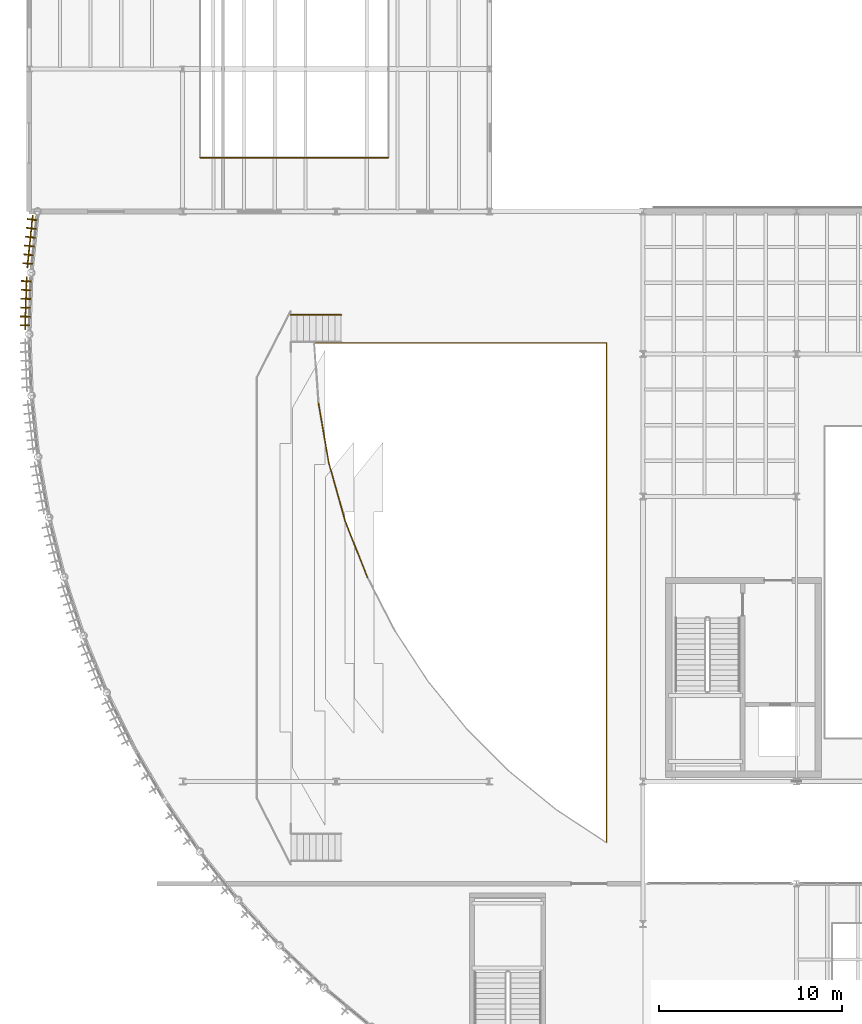
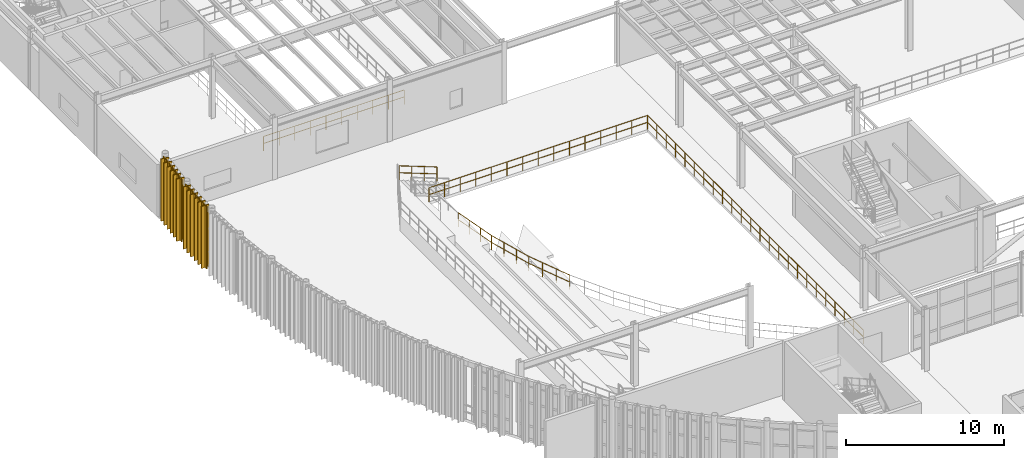
# One storey, part 100 of 105: 12 coverings, 12 shading devices, 7 railings.
"""IFC4 building model written with IfcOpenShell, lengths in metres."""

import ifcopenshell
import ifcopenshell.guid

model = None  # the IFC model being written
_history = None  # IfcOwnerHistory: only IFC2X3 demands one
_inside = {}  # id of a spatial element -> (the spatial element, [elements in it])
_under = {}  # id of a project, library or spatial element -> (it, [spatial elements below it])
_declared = {}  # id of a project -> (the project, [libraries it declares])
_typed = {}  # id of a type object -> (the type object, [elements of that type])
_made_of = {}  # id of a material, layer set ... -> (it, [elements and type objects made of it])


def new_model(schema):
    """Start an empty IFC model of exactly this schema.

    Asked for "IFC4X3", IfcOpenShell would pick the latest addendum, in which some entities
    have other attributes; the version numbers below select the first issue.
    IFC2X3 requires an IfcOwnerHistory on every rooted entity: one is made here for all.
    """
    global model, _history
    if schema == "IFC4X3":
        model = ifcopenshell.file(schema_version=(4, 3, 0, 0))
    else:
        model = ifcopenshell.file(schema=schema)
    _inside.clear()
    _under.clear()
    _declared.clear()
    _typed.clear()
    _made_of.clear()
    _history = None
    if model.schema == "IFC2X3":
        org = make("IfcOrganization", Name="unknown")
        user = make(
            "IfcPersonAndOrganization",
            ThePerson=make("IfcPerson", FamilyName="unknown"),
            TheOrganization=org,
        )
        app = make(
            "IfcApplication",
            ApplicationDeveloper=org,
            Version="unknown",
            ApplicationFullName="unknown",
            ApplicationIdentifier="unknown",
        )
        _history = make(
            "IfcOwnerHistory",
            OwningUser=user,
            OwningApplication=app,
            ChangeAction="ADDED",
            CreationDate=0,
        )
    return model


def make(cls, **values):
    """One entity of the class cls with the attributes given. An attribute that is None is left unset."""
    return model.create_entity(
        cls, **{name: value for name, value in values.items() if value is not None}
    )


def rooted(cls, **values):
    """An entity with a GlobalId (a new one), such as an element, a storey or a relation."""
    return make(cls, GlobalId=ifcopenshell.guid.new(), OwnerHistory=_history, **values)


def si_unit(unit_type, name, prefix=None):
    """IfcSIUnit, for example si_unit("LENGTHUNIT", "METRE", prefix="MILLI")."""
    return make("IfcSIUnit", UnitType=unit_type, Prefix=prefix, Name=name)


def assignment(units):
    """IfcUnitAssignment: the units of a project."""
    return None if units is None else make("IfcUnitAssignment", Units=units)


def point(xyz):
    """IfcCartesianPoint."""
    return None if xyz is None else make("IfcCartesianPoint", Coordinates=xyz)


def direction(xyz):
    """IfcDirection."""
    return None if xyz is None else make("IfcDirection", DirectionRatios=xyz)


def frame(location, z_axis=None, x_axis=None):
    """IfcAxis2Placement3D, a coordinate frame: its origin and axes. An axis left out is left unset."""
    return make(
        "IfcAxis2Placement3D",
        Location=point(location),
        Axis=direction(z_axis),
        RefDirection=direction(x_axis),
    )


def frame_2d(location, x_axis=None):
    """IfcAxis2Placement2D, a coordinate frame in the plane: its origin and x axis."""
    return make(
        "IfcAxis2Placement2D", Location=point(location), RefDirection=direction(x_axis)
    )


def origin():
    """The frame at (0, 0, 0) with its axes left unset."""
    return frame((0.0, 0.0, 0.0))


def origin_2d():
    """The frame at (0, 0) in the plane with its x axis left unset."""
    return frame_2d((0.0, 0.0))


def place(relative_to, where):
    """IfcLocalPlacement: puts the frame where relative to a parent placement (None: the world)."""
    return make(
        "IfcLocalPlacement", PlacementRelTo=relative_to, RelativePlacement=where
    )


def context(
    kind, dimensions, precision=None, world=None, true_north=None, identifier=None
):
    """IfcGeometricRepresentationContext, for example the 3D "Model" context."""
    return make(
        "IfcGeometricRepresentationContext",
        ContextIdentifier=identifier,
        ContextType=kind,
        CoordinateSpaceDimension=dimensions,
        Precision=precision,
        WorldCoordinateSystem=world,
        TrueNorth=true_north,
    )


def subcontext(parent, identifier, kind, view, scale=None):
    """IfcGeometricRepresentationSubContext, for example "Body" below "Model"."""
    return make(
        "IfcGeometricRepresentationSubContext",
        ContextIdentifier=identifier,
        ContextType=kind,
        ParentContext=parent,
        TargetScale=scale,
        TargetView=view,
    )


def project(units=None, contexts=None):
    """IfcProject with its units and contexts."""
    return rooted(
        "IfcProject",
        Name="project",
        RepresentationContexts=contexts,
        UnitsInContext=assignment(units),
    )


def spatial(cls, under=None, at=None, **own):
    """A site, building, storey or space (cls), placed at a placement, below another one or the project."""
    s = rooted(cls, ObjectPlacement=at, **own)
    if under is not None:
        _under.setdefault(under.id(), (under, []))[1].append(s)
    return s


def polyline(points):
    """IfcPolyline through the points."""
    return make("IfcPolyline", Points=[point(p) for p in points])


def profile(cls, at=None, kind="AREA", **sizes):
    """A parametric profile (cls). Its sizes go by their IFC names, for example OverallWidth=200.0."""
    return make(cls, ProfileType=kind, Position=at, **sizes)


def rectangle(**sizes):
    """IfcRectangleProfileDef."""
    return profile("IfcRectangleProfileDef", **sizes)


def circle(**sizes):
    """IfcCircleProfileDef."""
    return profile("IfcCircleProfileDef", **sizes)


def outline(outer, holes=None, kind="AREA"):
    """IfcArbitraryClosedProfileDef: a profile drawn as a closed curve; with holes, ...WithVoids."""
    if holes is None:
        return make("IfcArbitraryClosedProfileDef", ProfileType=kind, OuterCurve=outer)
    return make(
        "IfcArbitraryProfileDefWithVoids",
        ProfileType=kind,
        OuterCurve=outer,
        InnerCurves=holes,
    )


def extrude(swept, where, along, depth):
    """IfcExtrudedAreaSolid: the profile swept, set in the frame where, extruded along a direction by depth."""
    return make(
        "IfcExtrudedAreaSolid",
        SweptArea=swept,
        Position=where,
        ExtrudedDirection=direction(along),
        Depth=depth,
    )


def shape(context_of_items, identifier, shape_type, items):
    """IfcShapeRepresentation: the items that make up one representation, for example the "Body"."""
    return make(
        "IfcShapeRepresentation",
        ContextOfItems=context_of_items,
        RepresentationIdentifier=identifier,
        RepresentationType=shape_type,
        Items=items,
    )


def material(Name=None, Category=None):
    """IfcMaterial."""
    return make("IfcMaterial", Name=Name, Category=Category)


def layer(
    of_material, thickness, ventilated=None, Name=None, Category=None, Priority=None
):
    """IfcMaterialLayer: one layer of a wall or slab, of a material (None: an air gap)."""
    return make(
        "IfcMaterialLayer",
        Material=of_material,
        LayerThickness=thickness,
        IsVentilated=ventilated,
        Name=Name,
        Category=Category,
        Priority=Priority,
    )


def layer_set(layers, Name=None):
    """IfcMaterialLayerSet."""
    return make("IfcMaterialLayerSet", MaterialLayers=layers, LayerSetName=Name)


def material_profile(
    of_material, cross_section, Name=None, Category=None, Priority=None
):
    """IfcMaterialProfile: a cross section and its material."""
    return make(
        "IfcMaterialProfile",
        Name=Name,
        Material=of_material,
        Profile=cross_section,
        Priority=Priority,
        Category=Category,
    )


def profile_set(profiles, Name=None, composite=None):
    """IfcMaterialProfileSet."""
    return make(
        "IfcMaterialProfileSet",
        Name=Name,
        MaterialProfiles=profiles,
        CompositeProfile=composite,
    )


def made_of(thing, what):
    """Note that an element or type object is made of a material, layer set ...; save() writes the relation."""
    if what is not None:
        _made_of.setdefault(what.id(), (what, []))[1].append(thing)
    return thing


def type_object(cls, material=None, **own):
    """A type object (cls), such as IfcWallType, which elements share."""
    return made_of(rooted(cls, **own), material)


def element(
    cls,
    number,
    at=None,
    inside=None,
    cuts=None,
    type_object=None,
    material=None,
    context=None,
    identifier="Body",
    shape_type=None,
    held_by="IfcProductDefinitionShape",
    body=None,
    shapes=None,
    **own,
):
    """One element of the class cls, such as IfcWall. Its Tag is "e" and its number.

    at: its placement. inside: the storey or other place that contains it. cuts: it is an
    opening in that element (IfcRelVoidsElement). A single representation is given by context,
    identifier, shape_type and body (its items); several are given by shapes. held_by: the class
    of the entity that holds the representations. save() writes the other relations.
    """
    e = rooted(cls, Tag="e%d" % number, ObjectPlacement=at, **own)
    if body is not None:
        shapes = [shape(context, identifier, shape_type, body)]
    if shapes is not None:
        e.Representation = make(held_by, Representations=shapes)
    if inside is not None:
        _inside.setdefault(inside.id(), (inside, []))[1].append(e)
    if cuts is not None:
        rooted(
            "IfcRelVoidsElement", RelatingBuildingElement=cuts, RelatedOpeningElement=e
        )
    if type_object is not None:
        _typed.setdefault(type_object.id(), (type_object, []))[1].append(e)
    return made_of(e, material)


def aggregate(whole, parts):
    """IfcRelAggregates: a whole, such as a stair, and the parts it consists of."""
    return rooted("IfcRelAggregates", RelatingObject=whole, RelatedObjects=parts)


def save(model, path):
    """Write the relations noted so far, then the file.

    IfcRelAggregates (storeys below a building ...), IfcRelContainedInSpatialStructure (elements
    in a storey), IfcRelDefinesByType, IfcRelAssociatesMaterial and IfcRelDeclares: one each for
    every whole, place, type object, material and project.
    """
    for whole, parts in _under.values():
        aggregate(whole, parts)
    for where, things in _inside.values():
        rooted(
            "IfcRelContainedInSpatialStructure",
            RelatedElements=things,
            RelatingStructure=where,
        )
    for kind, things in _typed.values():
        rooted("IfcRelDefinesByType", RelatedObjects=things, RelatingType=kind)
    for what, things in _made_of.values():
        rooted("IfcRelAssociatesMaterial", RelatedObjects=things, RelatingMaterial=what)
    for by, libraries in _declared.values():
        rooted("IfcRelDeclares", RelatingContext=by, RelatedDefinitions=libraries)
    model.write(path)


model = new_model("IFC4")

# Units and contexts
model_context = context("Model", 3, precision=1e-05, world=origin(), true_north=direction((0.0, 1.0)))
body_context = subcontext(model_context, "Body", "Model", "MODEL_VIEW")
ifc_project = project(units=[si_unit("LENGTHUNIT", "METRE"), si_unit("AREAUNIT", "SQUARE_METRE"), si_unit("VOLUMEUNIT", "CUBIC_METRE"), si_unit("PLANEANGLEUNIT", "RADIAN"), si_unit("MASSUNIT", "GRAM", prefix="KILO")], contexts=[model_context])

# Site, building, storey
site_placement = place(None, origin())
site = spatial("IfcSite", under=ifc_project, at=site_placement, CompositionType="ELEMENT")
building_placement = place(site_placement, origin())
building = spatial("IfcBuilding", under=site, at=building_placement, Name="Selat Folded Stagehouse", CompositionType="ELEMENT")
storey_placement = place(building_placement, frame((0.0, 0.0, 10.199951171875)))
storey = spatial("IfcBuildingStorey", under=building, at=storey_placement, Name="L02", CompositionType="ELEMENT", Elevation=10.199951171875)

# Coverings
ifc_material_1 = material(Name="Bronze-anodised aluminium 6063-T6", Category="aluminium")
ifc_layer_1 = layer(ifc_material_1, 0.06201171875)
ifc_layer_set_1 = layer_set([ifc_layer_1], Name="Bronze-anodised aluminium 6063-T6")
covering_type = type_object("IfcCoveringType", Name="COV-FIN-BRZ48", PredefinedType="CLADDING", material=ifc_layer_set_1)
covering_1_placement = place(storey_placement, frame((0.0, 0.0, -0.099853515625)))
element("IfcCovering", 1, at=covering_1_placement, inside=storey, type_object=covering_type, Name="L02 drum bronze fin cladding sheath 002", PredefinedType="CLADDING", context=body_context, shape_type="SweptSolid", body=[
    extrude(outline(polyline([(0.430419921875, 54.150390625), (-0.105224609375, 54.21923828125), (-0.11328125, 54.156005859375), (0.42236328125, 54.0869140625), (0.430419921875, 54.150390625)])), origin(), (0.0, 0.0, 1.0), 4.81982421875),
])
covering_2_placement = place(storey_placement, frame((0.0, 0.0, -0.099853515625)))
element("IfcCovering", 2, at=covering_2_placement, inside=storey, type_object=covering_type, Name="L02 drum bronze fin cladding sheath 007", PredefinedType="CLADDING", context=body_context, shape_type="SweptSolid", body=[
    extrude(outline(polyline([(0.380615234375, 53.671875), (-0.155517578125, 53.735595703125), (-0.1630859375, 53.671875), (0.373291015625, 53.6083984375), (0.380615234375, 53.671875)])), origin(), (0.0, 0.0, 1.0), 4.81982421875),
])
covering_3_placement = place(storey_placement, frame((0.0, 0.0, -0.099853515625)))
element("IfcCovering", 3, at=covering_3_placement, inside=storey, type_object=covering_type, Name="L02 drum bronze fin cladding sheath 012", PredefinedType="CLADDING", context=body_context, shape_type="SweptSolid", body=[
    extrude(outline(polyline([(0.3310546875, 53.193359375), (-0.205810546875, 53.251708984375), (-0.212646484375, 53.18798828125), (0.32421875, 53.1298828125), (0.3310546875, 53.193359375)])), origin(), (0.0, 0.0, 1.0), 4.81982421875),
])
covering_4_placement = place(storey_placement, frame((0.0, 0.0, -0.099853515625)))
element("IfcCovering", 4, at=covering_4_placement, inside=storey, type_object=covering_type, Name="L02 drum bronze fin cladding sheath 017", PredefinedType="CLADDING", context=body_context, shape_type="SweptSolid", body=[
    extrude(outline(polyline([(0.28125, 52.71484375), (-0.256103515625, 52.767578125), (-0.26220703125, 52.7041015625), (0.275146484375, 52.651123046875), (0.28125, 52.71484375)])), origin(), (0.0, 0.0, 1.0), 4.81982421875),
])
covering_5_placement = place(storey_placement, frame((0.0, 0.0, -0.099853515625)))
element("IfcCovering", 5, at=covering_5_placement, inside=storey, type_object=covering_type, Name="L02 drum bronze fin cladding sheath 022", PredefinedType="CLADDING", context=body_context, shape_type="SweptSolid", body=[
    extrude(outline(polyline([(0.231689453125, 52.236328125), (-0.306396484375, 52.28369140625), (-0.31201171875, 52.219970703125), (0.22607421875, 52.172607421875), (0.231689453125, 52.236328125)])), origin(), (0.0, 0.0, 1.0), 4.81982421875),
])
covering_6_placement = place(storey_placement, frame((0.0, 0.0, -0.099853515625)))
element("IfcCovering", 6, at=covering_6_placement, inside=storey, type_object=covering_type, Name="L02 drum bronze fin cladding sheath 027", PredefinedType="CLADDING", context=body_context, shape_type="SweptSolid", body=[
    extrude(outline(polyline([(0.181884765625, 51.7578125), (-0.3564453125, 51.7998046875), (-0.361328125, 51.736083984375), (0.177001953125, 51.694091796875), (0.181884765625, 51.7578125)])), origin(), (0.0, 0.0, 1.0), 4.81982421875),
])
covering_7_placement = place(storey_placement, frame((0.0, 0.0, -0.099853515625)))
element("IfcCovering", 7, at=covering_7_placement, inside=storey, type_object=covering_type, Name="L02 drum bronze fin cladding sheath 033", PredefinedType="CLADDING", context=body_context, shape_type="SweptSolid", body=[
    extrude(outline(polyline([(0.1162109375, 50.798583984375), (-0.4228515625, 50.82958984375), (-0.426513671875, 50.765869140625), (0.112548828125, 50.734619140625), (0.1162109375, 50.798583984375)])), origin(), (0.0, 0.0, 1.0), 4.81982421875),
])
covering_8_placement = place(storey_placement, frame((0.0, 0.0, -0.099853515625)))
element("IfcCovering", 8, at=covering_8_placement, inside=storey, type_object=covering_type, Name="L02 drum bronze fin cladding sheath 039", PredefinedType="CLADDING", context=body_context, shape_type="SweptSolid", body=[
    extrude(outline(polyline([(0.10009765625, 50.31787109375), (-0.439208984375, 50.343505859375), (-0.4423828125, 50.279541015625), (0.09716796875, 50.25390625), (0.10009765625, 50.31787109375)])), origin(), (0.0, 0.0, 1.0), 4.81982421875),
])
covering_9_placement = place(storey_placement, frame((0.0, 0.0, -0.099853515625)))
element("IfcCovering", 9, at=covering_9_placement, inside=storey, type_object=covering_type, Name="L02 drum bronze fin cladding sheath 045", PredefinedType="CLADDING", context=body_context, shape_type="SweptSolid", body=[
    extrude(outline(polyline([(0.083984375, 49.8369140625), (-0.45556640625, 49.857421875), (-0.4580078125, 49.793212890625), (0.081787109375, 49.77294921875), (0.083984375, 49.8369140625)])), origin(), (0.0, 0.0, 1.0), 4.81982421875),
])
covering_10_placement = place(storey_placement, frame((0.0, 0.0, -0.099853515625)))
element("IfcCovering", 10, at=covering_10_placement, inside=storey, type_object=covering_type, Name="L02 drum bronze fin cladding sheath 051", PredefinedType="CLADDING", context=body_context, shape_type="SweptSolid", body=[
    extrude(outline(polyline([(0.068115234375, 49.356201171875), (-0.4716796875, 49.37109375), (-0.473388671875, 49.30712890625), (0.06640625, 49.2919921875), (0.068115234375, 49.356201171875)])), origin(), (0.0, 0.0, 1.0), 4.81982421875),
])
covering_11_placement = place(storey_placement, frame((0.0, 0.0, -0.099853515625)))
element("IfcCovering", 11, at=covering_11_placement, inside=storey, type_object=covering_type, Name="L02 drum bronze fin cladding sheath 057", PredefinedType="CLADDING", context=body_context, shape_type="SweptSolid", body=[
    extrude(outline(polyline([(0.052001953125, 48.875244140625), (-0.48779296875, 48.884765625), (-0.489013671875, 48.82080078125), (0.051025390625, 48.811279296875), (0.052001953125, 48.875244140625)])), origin(), (0.0, 0.0, 1.0), 4.81982421875),
])
covering_12_placement = place(storey_placement, frame((0.0, 0.0, -0.099853515625)))
element("IfcCovering", 12, at=covering_12_placement, inside=storey, type_object=covering_type, Name="L02 drum bronze fin cladding sheath 063", PredefinedType="CLADDING", context=body_context, shape_type="SweptSolid", body=[
    extrude(outline(polyline([(0.0361328125, 48.39453125), (-0.50390625, 48.398681640625), (-0.50439453125, 48.334716796875), (0.03564453125, 48.33056640625), (0.0361328125, 48.39453125)])), origin(), (0.0, 0.0, 1.0), 4.81982421875),
])

# Railings
ifc_material_2 = material(Name="Bronze-anodised steel balustrade", Category="steel")
ifc_layer_2 = layer(ifc_material_2, 0.06494140625)
ifc_layer_set_2 = layer_set([ifc_layer_2], Name="Bronze-anodised steel balustrade")
railing_type = type_object("IfcRailingType", Name="RLG-BAL-1120", PredefinedType="BALUSTRADE", material=ifc_layer_set_2)
railing_1_placement = place(storey_placement, frame((9.35009765625, 57.550048828125, 0.0)))
element("IfcRailing", 13, at=railing_1_placement, inside=storey, type_object=railing_type, Name="L02 protective guard railing 050", PredefinedType="BALUSTRADE", context=body_context, shape_type="SweptSolid", body=[
    extrude(circle(Radius=0.02392578125, at=origin_2d()), frame((0.0, 0.0, 1.09619140625), z_axis=(1.0, 0.0, 0.0), x_axis=(0.0, 1.0, 0.0)), (0.0, 0.0, 1.0), 10.2998046875),
    extrude(circle(Radius=0.02392578125, at=origin_2d()), frame((0.0, 0.0, 0.56005859375), z_axis=(1.0, 0.0, 0.0), x_axis=(0.0, 1.0, 0.0)), (0.0, 0.0, 1.0), 10.2998046875),
    extrude(circle(Radius=0.02099609375, at=origin_2d()), origin(), (0.0, 0.0, 1.0), 1.072021484375),
    extrude(circle(Radius=0.02099609375, at=origin_2d()), frame((1.14453125, 0.0, 0.0)), (0.0, 0.0, 1.0), 1.072021484375),
    extrude(circle(Radius=0.02099609375, at=origin_2d()), frame((2.288818359375, 0.0, 0.0)), (0.0, 0.0, 1.0), 1.072021484375),
    extrude(circle(Radius=0.02099609375, at=origin_2d()), frame((3.433349609375, 0.0, 0.0)), (0.0, 0.0, 1.0), 1.072021484375),
    extrude(circle(Radius=0.02099609375, at=origin_2d()), frame((4.57763671875, 0.0, 0.0)), (0.0, 0.0, 1.0), 1.072021484375),
    extrude(circle(Radius=0.02099609375, at=origin_2d()), frame((5.72216796875, 0.0, 0.0)), (0.0, 0.0, 1.0), 1.072021484375),
    extrude(circle(Radius=0.02099609375, at=origin_2d()), frame((6.866455078125, 0.0, 0.0)), (0.0, 0.0, 1.0), 1.072021484375),
    extrude(circle(Radius=0.02099609375, at=origin_2d()), frame((8.010986328125, 0.0, 0.0)), (0.0, 0.0, 1.0), 1.072021484375),
    extrude(circle(Radius=0.02099609375, at=origin_2d()), frame((9.1552734375, 0.0, 0.0)), (0.0, 0.0, 1.0), 1.072021484375),
    extrude(circle(Radius=0.02099609375, at=origin_2d()), frame((10.2998046875, 0.0, 0.0)), (0.0, 0.0, 1.0), 1.072021484375),
])
railing_2_placement = place(storey_placement, frame((31.60009765625, 47.39990234375, 0.0)))
element("IfcRailing", 14, at=railing_2_placement, inside=storey, type_object=railing_type, Name="L02 protective guard railing 086", PredefinedType="BALUSTRADE", context=body_context, shape_type="SweptSolid", body=[
    extrude(circle(Radius=0.02392578125, at=origin_2d()), frame((0.0, 0.0, 1.09619140625), z_axis=(0.0, -1.0, 0.0), x_axis=(1.0, 0.0, 0.0)), (0.0, 0.0, 1.0), 27.3427734375),
    extrude(circle(Radius=0.02392578125, at=origin_2d()), frame((0.0, 0.0, 0.56005859375), z_axis=(0.0, -1.0, 0.0), x_axis=(1.0, 0.0, 0.0)), (0.0, 0.0, 1.0), 27.3427734375),
    extrude(circle(Radius=0.02099609375, at=origin_2d()), origin(), (0.0, 0.0, 1.0), 1.072021484375),
    extrude(circle(Radius=0.02099609375, at=origin_2d()), frame((0.0, -1.188720703125, 0.0)), (0.0, 0.0, 1.0), 1.072021484375),
    extrude(circle(Radius=0.02099609375, at=origin_2d()), frame((0.0, -2.377685546875, 0.0)), (0.0, 0.0, 1.0), 1.072021484375),
    extrude(circle(Radius=0.02099609375, at=origin_2d()), frame((0.0, -3.56640625, 0.0)), (0.0, 0.0, 1.0), 1.072021484375),
    extrude(circle(Radius=0.02099609375, at=origin_2d()), frame((0.0, -4.75537109375, 0.0)), (0.0, 0.0, 1.0), 1.072021484375),
    extrude(circle(Radius=0.02099609375, at=origin_2d()), frame((0.0, -5.944091796875, 0.0)), (0.0, 0.0, 1.0), 1.072021484375),
    extrude(circle(Radius=0.02099609375, at=origin_2d()), frame((0.0, -7.1328125, 0.0)), (0.0, 0.0, 1.0), 1.072021484375),
    extrude(circle(Radius=0.02099609375, at=origin_2d()), frame((0.0, -8.32177734375, 0.0)), (0.0, 0.0, 1.0), 1.072021484375),
    extrude(circle(Radius=0.02099609375, at=origin_2d()), frame((0.0, -9.510498046875, 0.0)), (0.0, 0.0, 1.0), 1.072021484375),
    extrude(circle(Radius=0.02099609375, at=origin_2d()), frame((0.0, -10.699462890625, 0.0)), (0.0, 0.0, 1.0), 1.072021484375),
    extrude(circle(Radius=0.02099609375, at=origin_2d()), frame((0.0, -11.88818359375, 0.0)), (0.0, 0.0, 1.0), 1.072021484375),
    extrude(circle(Radius=0.02099609375, at=origin_2d()), frame((0.0, -13.076904296875, 0.0)), (0.0, 0.0, 1.0), 1.072021484375),
    extrude(circle(Radius=0.02099609375, at=origin_2d()), frame((0.0, -14.265869140625, 0.0)), (0.0, 0.0, 1.0), 1.072021484375),
    extrude(circle(Radius=0.02099609375, at=origin_2d()), frame((0.0, -15.45458984375, 0.0)), (0.0, 0.0, 1.0), 1.072021484375),
    extrude(circle(Radius=0.02099609375, at=origin_2d()), frame((0.0, -16.643310546875, 0.0)), (0.0, 0.0, 1.0), 1.072021484375),
    extrude(circle(Radius=0.02099609375, at=origin_2d()), frame((0.0, -17.832275390625, 0.0)), (0.0, 0.0, 1.0), 1.072021484375),
    extrude(circle(Radius=0.02099609375, at=origin_2d()), frame((0.0, -19.02099609375, 0.0)), (0.0, 0.0, 1.0), 1.072021484375),
    extrude(circle(Radius=0.02099609375, at=origin_2d()), frame((0.0, -20.2099609375, 0.0)), (0.0, 0.0, 1.0), 1.072021484375),
    extrude(circle(Radius=0.02099609375, at=origin_2d()), frame((0.0, -21.398681640625, 0.0)), (0.0, 0.0, 1.0), 1.072021484375),
    extrude(circle(Radius=0.02099609375, at=origin_2d()), frame((0.0, -22.58740234375, 0.0)), (0.0, 0.0, 1.0), 1.072021484375),
    extrude(circle(Radius=0.02099609375, at=origin_2d()), frame((0.0, -23.7763671875, 0.0)), (0.0, 0.0, 1.0), 1.072021484375),
    extrude(circle(Radius=0.02099609375, at=origin_2d()), frame((0.0, -24.965087890625, 0.0)), (0.0, 0.0, 1.0), 1.072021484375),
    extrude(circle(Radius=0.02099609375, at=origin_2d()), frame((0.0, -26.154052734375, 0.0)), (0.0, 0.0, 1.0), 1.072021484375),
    extrude(circle(Radius=0.02099609375, at=origin_2d()), frame((0.0, -27.3427734375, 0.0)), (0.0, 0.0, 1.0), 1.072021484375),
])
railing_3_placement = place(storey_placement, frame((18.510986328125, 34.577880859375, 0.0)))
element("IfcRailing", 15, at=railing_3_placement, inside=storey, type_object=railing_type, Name="L02 protective guard railing 093", PredefinedType="BALUSTRADE", context=body_context, shape_type="SweptSolid", body=[
    extrude(circle(Radius=0.02392578125, at=origin_2d()), frame((0.0, 0.0, 1.09619140625), z_axis=(-0.367277423507, 0.930111441808, 0.0), x_axis=(-0.930111441808, -0.367277423507, 0.0)), (0.0, 0.0, 1.0), 3.308349609375),
    extrude(circle(Radius=0.02392578125, at=origin_2d()), frame((0.0, 0.0, 0.56005859375), z_axis=(-0.367277423507, 0.930111441808, 0.0), x_axis=(-0.930111441808, -0.367277423507, 0.0)), (0.0, 0.0, 1.0), 3.308349609375),
    extrude(circle(Radius=0.02099609375, at=origin_2d()), origin(), (0.0, 0.0, 1.0), 1.072021484375),
    extrude(circle(Radius=0.02099609375, at=origin_2d()), frame((-0.405029296875, 1.025634765625, 0.0)), (0.0, 0.0, 1.0), 1.072021484375),
    extrude(circle(Radius=0.02099609375, at=origin_2d()), frame((-0.81005859375, 2.051513671875, 0.0)), (0.0, 0.0, 1.0), 1.072021484375),
    extrude(circle(Radius=0.02099609375, at=origin_2d()), frame((-1.215087890625, 3.0771484375, 0.0)), (0.0, 0.0, 1.0), 1.072021484375),
])
railing_4_placement = place(storey_placement, frame((17.2958984375, 37.655029296875, 0.0)))
element("IfcRailing", 16, at=railing_4_placement, inside=storey, type_object=railing_type, Name="L02 protective guard railing 094", PredefinedType="BALUSTRADE", context=body_context, shape_type="SweptSolid", body=[
    extrude(circle(Radius=0.02392578125, at=origin_2d()), frame((0.0, 0.0, 1.09619140625), z_axis=(-0.270527594829, 0.962712220986, 0.0), x_axis=(-0.962712220986, -0.270527594829, 0.0)), (0.0, 0.0, 1.0), 3.308349609375),
    extrude(circle(Radius=0.02392578125, at=origin_2d()), frame((0.0, 0.0, 0.56005859375), z_axis=(-0.270527594829, 0.962712220986, 0.0), x_axis=(-0.962712220986, -0.270527594829, 0.0)), (0.0, 0.0, 1.0), 3.308349609375),
    extrude(circle(Radius=0.02099609375, at=origin_2d()), origin(), (0.0, 0.0, 1.0), 1.072021484375),
    extrude(circle(Radius=0.02099609375, at=origin_2d()), frame((-0.29833984375, 1.061767578125, 0.0)), (0.0, 0.0, 1.0), 1.072021484375),
    extrude(circle(Radius=0.02099609375, at=origin_2d()), frame((-0.5966796875, 2.123291015625, 0.0)), (0.0, 0.0, 1.0), 1.072021484375),
    extrude(circle(Radius=0.02099609375, at=origin_2d()), frame((-0.89501953125, 3.18505859375, 0.0)), (0.0, 0.0, 1.0), 1.072021484375),
])
railing_5_placement = place(storey_placement, frame((16.40087890625, 40.840087890625, 0.0)))
element("IfcRailing", 17, at=railing_5_placement, inside=storey, type_object=railing_type, Name="L02 protective guard railing 095", PredefinedType="BALUSTRADE", context=body_context, shape_type="SweptSolid", body=[
    extrude(circle(Radius=0.02392578125, at=origin_2d()), frame((0.0, 0.0, 1.09619140625), z_axis=(-0.170845951376, 0.985297752407, 0.0), x_axis=(-0.985297752407, -0.170845951376, 0.0)), (0.0, 0.0, 1.0), 3.30810546875),
    extrude(circle(Radius=0.02392578125, at=origin_2d()), frame((0.0, 0.0, 0.56005859375), z_axis=(-0.170845951376, 0.985297752407, 0.0), x_axis=(-0.985297752407, -0.170845951376, 0.0)), (0.0, 0.0, 1.0), 3.30810546875),
    extrude(circle(Radius=0.02099609375, at=origin_2d()), origin(), (0.0, 0.0, 1.0), 1.072021484375),
    extrude(circle(Radius=0.02099609375, at=origin_2d()), frame((-0.1884765625, 1.08642578125, 0.0)), (0.0, 0.0, 1.0), 1.072021484375),
    extrude(circle(Radius=0.02099609375, at=origin_2d()), frame((-0.376708984375, 2.173095703125, 0.0)), (0.0, 0.0, 1.0), 1.072021484375),
    extrude(circle(Radius=0.02099609375, at=origin_2d()), frame((-0.565185546875, 3.259521484375, 0.0)), (0.0, 0.0, 1.0), 1.072021484375),
])
railing_6_placement = place(storey_placement, frame((15.605712890625, 47.39990234375, 0.0)))
element("IfcRailing", 18, at=railing_6_placement, inside=storey, type_object=railing_type, Name="L02 protective guard railing 097", PredefinedType="BALUSTRADE", context=body_context, shape_type="SweptSolid", body=[
    extrude(circle(Radius=0.02392578125, at=origin_2d()), frame((0.0, 0.0, 1.09619140625), z_axis=(1.0, 0.0, 0.0), x_axis=(0.0, 1.0, 0.0)), (0.0, 0.0, 1.0), 15.994384765625),
    extrude(circle(Radius=0.02392578125, at=origin_2d()), frame((0.0, 0.0, 0.56005859375), z_axis=(1.0, 0.0, 0.0), x_axis=(0.0, 1.0, 0.0)), (0.0, 0.0, 1.0), 15.994384765625),
    extrude(circle(Radius=0.02099609375, at=origin_2d()), origin(), (0.0, 0.0, 1.0), 1.072021484375),
    extrude(circle(Radius=0.02099609375, at=origin_2d()), frame((1.142578125, 0.0, 0.0)), (0.0, 0.0, 1.0), 1.072021484375),
    extrude(circle(Radius=0.02099609375, at=origin_2d()), frame((2.284912109375, 0.0, 0.0)), (0.0, 0.0, 1.0), 1.072021484375),
    extrude(circle(Radius=0.02099609375, at=origin_2d()), frame((3.42724609375, 0.0, 0.0)), (0.0, 0.0, 1.0), 1.072021484375),
    extrude(circle(Radius=0.02099609375, at=origin_2d()), frame((4.56982421875, 0.0, 0.0)), (0.0, 0.0, 1.0), 1.072021484375),
    extrude(circle(Radius=0.02099609375, at=origin_2d()), frame((5.71240234375, 0.0, 0.0)), (0.0, 0.0, 1.0), 1.072021484375),
    extrude(circle(Radius=0.02099609375, at=origin_2d()), frame((6.854736328125, 0.0, 0.0)), (0.0, 0.0, 1.0), 1.072021484375),
    extrude(circle(Radius=0.02099609375, at=origin_2d()), frame((7.9970703125, 0.0, 0.0)), (0.0, 0.0, 1.0), 1.072021484375),
    extrude(circle(Radius=0.02099609375, at=origin_2d()), frame((9.1396484375, 0.0, 0.0)), (0.0, 0.0, 1.0), 1.072021484375),
    extrude(circle(Radius=0.02099609375, at=origin_2d()), frame((10.2822265625, 0.0, 0.0)), (0.0, 0.0, 1.0), 1.072021484375),
    extrude(circle(Radius=0.02099609375, at=origin_2d()), frame((11.424560546875, 0.0, 0.0)), (0.0, 0.0, 1.0), 1.072021484375),
    extrude(circle(Radius=0.02099609375, at=origin_2d()), frame((12.56689453125, 0.0, 0.0)), (0.0, 0.0, 1.0), 1.072021484375),
    extrude(circle(Radius=0.02099609375, at=origin_2d()), frame((13.70947265625, 0.0, 0.0)), (0.0, 0.0, 1.0), 1.072021484375),
    extrude(circle(Radius=0.02099609375, at=origin_2d()), frame((14.85205078125, 0.0, 0.0)), (0.0, 0.0, 1.0), 1.072021484375),
    extrude(circle(Radius=0.02099609375, at=origin_2d()), frame((15.994384765625, 0.0, 0.0)), (0.0, 0.0, 1.0), 1.072021484375),
])
railing_7_placement = place(storey_placement, frame((17.080078125, 48.93994140625, 0.16015625)))
element("IfcRailing", 19, at=railing_7_placement, inside=storey, type_object=railing_type, Name="L02 aisle stair balustrade STA-MT-L02-N-N", PredefinedType="BALUSTRADE", context=body_context, shape_type="SweptSolid", body=[
    extrude(circle(Radius=0.02392578125, at=origin_2d()), frame((0.0, 0.0, 1.09619140625), z_axis=(-0.934093173048, 0.0, 0.357029332219), x_axis=(0.0, -1.0, 0.0)), (0.0, 0.0, 1.0), 2.954833984375),
    extrude(circle(Radius=0.02392578125, at=origin_2d()), frame((0.0, 0.0, 0.56005859375), z_axis=(-0.934093173048, 0.0, 0.357029332219), x_axis=(0.0, -1.0, 0.0)), (0.0, 0.0, 1.0), 2.954833984375),
    extrude(circle(Radius=0.02099609375, at=origin_2d()), origin(), (0.0, 0.0, 1.0), 1.072021484375),
    extrude(circle(Radius=0.02099609375, at=origin_2d()), frame((-0.919921875, 0.0, 0.3515625)), (0.0, 0.0, 1.0), 1.072021484375),
    extrude(circle(Radius=0.02099609375, at=origin_2d()), frame((-1.840087890625, 0.0, 0.703369140625)), (0.0, 0.0, 1.0), 1.072021484375),
    extrude(circle(Radius=0.02099609375, at=origin_2d()), frame((-2.760009765625, 0.0, 1.054931640625)), (0.0, 0.0, 1.0), 1.072021484375),
])

# Shading devices
ifc_material_profile = material_profile(ifc_material_1, rectangle(XDim=0.06005859375, YDim=0.47998046875, at=origin_2d()), Name="SOLAR-FIN 480x60")
ifc_profile_set = profile_set([ifc_material_profile], Name="Bronze-anodised aluminium 6063-T6")
shading_device_type = type_object("IfcShadingDeviceType", Name="SHD-FIN-480x60", PredefinedType="USERDEFINED", material=ifc_profile_set)
for number, where, z_axis, x_axis, name in (
    (20, (0.16845703125, 54.15185546875, -0.099853515625), (0.0, 0.0, 1.0), (-0.991827775753, 0.127583945876, 0.0), "L02 drum vertical bronze solar fin 002"),
    (21, (0.118896484375, 53.670654296875, -0.099853515625), (0.0, 0.0, 1.0), (-0.993068456955, 0.117537397458, 0.0), "L02 drum vertical bronze solar fin 007"),
    (22, (0.069091796875, 53.189697265625, -0.099853515625), (0.0, 0.0, 1.0), (-0.994188602291, 0.107652324982, 0.0), "L02 drum vertical bronze solar fin 012"),
    (23, (0.019287109375, 52.70849609375, -0.099853515625), (0.0, 0.0, 1.0), (-0.995227399982, 0.097582899759, 0.0), "L02 drum vertical bronze solar fin 017"),
    (24, (-0.0302734375, 52.227294921875, -0.099853515625), (0.0, 0.0, 1.0), (-0.996148926897, 0.087677337101, 0.0), "L02 drum vertical bronze solar fin 022"),
    (25, (-0.079833984375, 51.74609375, -0.099853515625), (0.0, 0.0, 1.0), (-0.996971865568, 0.077763097071, 0.0), "L02 drum vertical bronze solar fin 027"),
    (26, (-0.145263671875, 50.781494140625, -0.099853515625), (0.0, 0.0, 1.0), (-0.99833175459, 0.0577382696, 0.0), "L02 drum vertical bronze solar fin 033"),
    (27, (-0.1611328125, 50.298095703125, -0.099853515625), (0.0, 0.0, 1.0), (-0.998865073158, 0.047629461744, 0.0), "L02 drum vertical bronze solar fin 039"),
    (28, (-0.177001953125, 49.814697265625, -0.099853515625), (0.0, 0.0, 1.0), (-0.999289472641, 0.03769018267, 0.0), "L02 drum vertical bronze solar fin 045"),
    (29, (-0.192626953125, 49.331298828125, -0.099853515625), (0.0, 0.0, 1.0), (-0.999619800631, 0.027572707275, 0.0), "L02 drum vertical bronze solar fin 051"),
    (30, (-0.20849609375, 48.847900390625, -0.099853515625), (0.0, 0.0, 1.0), (-0.999844633908, 0.017626912514, 0.0), "L02 drum vertical bronze solar fin 057"),
    (31, (-0.22412109375, 48.364501953125, -0.099853515625), (0.0, 0.0, 1.0), (-0.999971838252, 0.007504845333, 0.0), "L02 drum vertical bronze solar fin 063"),
):
    element("IfcShadingDevice", number, at=place(storey_placement, frame(where, z_axis=z_axis, x_axis=x_axis)), inside=storey, type_object=shading_device_type, Name=name, ObjectType="FIN", PredefinedType="USERDEFINED", context=body_context, shape_type="SweptSolid", body=[
        extrude(rectangle(XDim=0.06005859375, YDim=0.47998046875, at=origin_2d()), origin(), (0.0, 0.0, 1.0), 4.81982421875),
    ])

save(model, "model.ifc")
